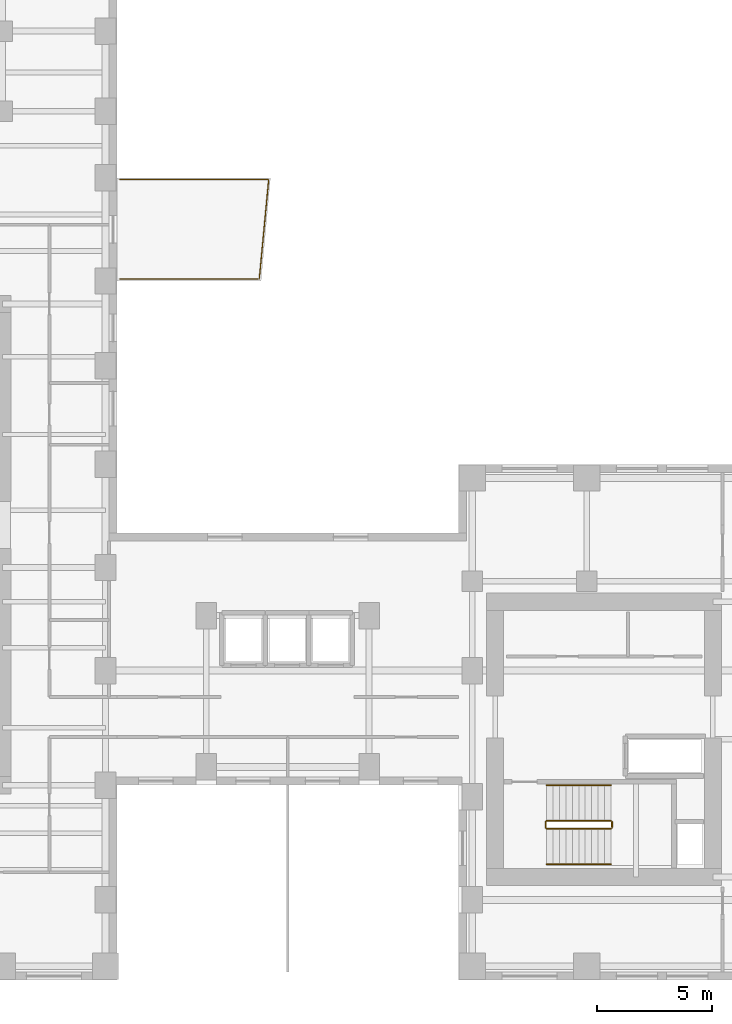
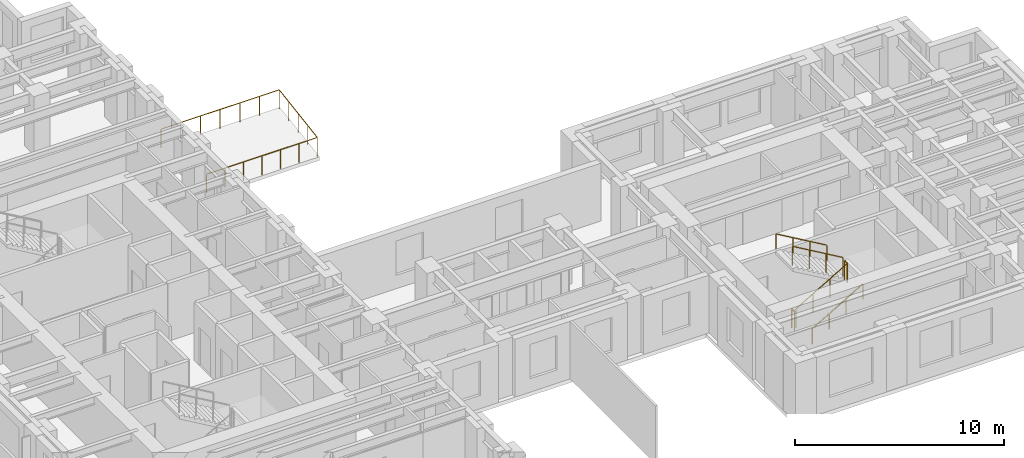
# One storey, part 11 of 11: 7 railings.
"""IFC4 building model written with IfcOpenShell, lengths in metres."""

from ifc_helpers import new_model, si_unit, direction, frame, origin, origin_2d, place, context, subcontext, project, spatial, circle, extrude, source, transform, mapped, material, layer, layer_set, type_object, element, save


model = new_model("IFC4")

# Units and contexts
model_context = context("Model", 3, precision=1e-05, world=origin(), true_north=direction((0.0, 1.0)))
body_context = subcontext(model_context, "Body", "Model", "MODEL_VIEW")
ifc_project = project(units=[si_unit("LENGTHUNIT", "METRE"), si_unit("AREAUNIT", "SQUARE_METRE"), si_unit("VOLUMEUNIT", "CUBIC_METRE"), si_unit("PLANEANGLEUNIT", "RADIAN"), si_unit("MASSUNIT", "GRAM", prefix="KILO")], contexts=[model_context])

# Site, building, storey
site_placement = place(None, origin())
site = spatial("IfcSite", under=ifc_project, at=site_placement, CompositionType="ELEMENT")
building_placement = place(site_placement, origin())
building = spatial("IfcBuilding", under=site, at=building_placement, Name="Kharzan Plaza Tower", CompositionType="ELEMENT")
storey_placement = place(building_placement, frame((0.0, 0.0, 99.0)))
storey = spatial("IfcBuildingStorey", under=building, at=storey_placement, Name="L26", CompositionType="ELEMENT", Elevation=99.0)

# Railings
ifc_material_1 = material(Name="Painted Galvanized Architectural Steel", Category="steel")
ifc_layer_1 = layer(ifc_material_1, 0.074951171875)
ifc_layer_set_1 = layer_set([ifc_layer_1], Name="Painted Galvanized Architectural Steel")
railing_type_1 = type_object("IfcRailingType", Name="RL-GUARD-1120", PredefinedType="BALUSTRADE", material=ifc_layer_set_1)
shared_shape_1 = source(origin(), body_context, "Body", "SweptSolid", [
    extrude(circle(Radius=0.02392578125, at=origin_2d()), frame((0.0, 0.0263671875, 1.09619140625), z_axis=(0.0, 1.0, 0.0), x_axis=(-1.0, 0.0, 0.0)), (0.0, 0.0, 1.0), 0.197021484375),
    extrude(circle(Radius=0.02099609375, at=origin_2d()), origin(), (0.0, 0.0, 1.0), 1.072021484375),
    extrude(circle(Radius=0.02099609375, at=origin_2d()), frame((0.0, 0.25, 0.0)), (0.0, 0.0, 1.0), 1.072021484375),
])
for number, where, name in (
    (1, (41.10009765625, 6.64990234375, 1.800048828125), "L26 ST-3 stair guard 2"),
    (2, (38.199951171875, 6.64990234375, 0.0), "L26 ST-3 stair guard 4"),
):
    element("IfcRailing", number, at=place(storey_placement, frame(where)), inside=storey, type_object=railing_type_1, Name=name, PredefinedType="BALUSTRADE", context=body_context, shape_type="MappedRepresentation", body=[
        mapped(shared_shape_1, transform((0.0, 0.0, 0.0), x_axis=(1.0, 0.0, 0.0), y_axis=(0.0, 1.0, 0.0), z_axis=(0.0, 0.0, 1.0))),
    ])
shared_shape_2 = source(origin(), body_context, "Body", "SweptSolid", [
    extrude(circle(Radius=0.02392578125, at=origin_2d()), frame((0.02294921875, 0.0, 1.109375), z_axis=(0.863360870873, 0.0, 0.504586966384), x_axis=(0.0, 1.0, 0.0)), (0.0, 0.0, 1.0), 3.190185546875),
    extrude(circle(Radius=0.02099609375, at=origin_2d()), origin(), (0.0, 0.0, 1.0), 1.072021484375),
    extrude(circle(Radius=0.02099609375, at=origin_2d()), frame((0.933349609375, 0.0, 0.54541015625)), (0.0, 0.0, 1.0), 1.072021484375),
    extrude(circle(Radius=0.02099609375, at=origin_2d()), frame((1.86669921875, 0.0, 1.091064453125)), (0.0, 0.0, 1.0), 1.072021484375),
    extrude(circle(Radius=0.02099609375, at=origin_2d()), frame((2.800048828125, 0.0, 1.636474609375)), (0.0, 0.0, 1.0), 1.072021484375),
])
railing_1_placement = place(storey_placement, frame((38.25, 6.60009765625, 0.16357421875)))
element("IfcRailing", 3, at=railing_1_placement, inside=storey, type_object=railing_type_1, Name="L26 ST-3 stair guard 1", PredefinedType="BALUSTRADE", context=body_context, shape_type="MappedRepresentation", body=[
    mapped(shared_shape_2, transform((0.0, 0.0, 0.0), x_axis=(1.0, 0.0, 0.0), y_axis=(0.0, 1.0, 0.0), z_axis=(0.0, 0.0, 1.0))),
])
shared_shape_3 = source(origin(), body_context, "Body", "SweptSolid", [
    extrude(circle(Radius=0.02392578125, at=origin_2d()), frame((-0.02294921875, 0.0, 1.109375), z_axis=(-0.863360870873, 0.0, 0.504586966384), x_axis=(0.0, -1.0, 0.0)), (0.0, 0.0, 1.0), 3.190185546875),
    extrude(circle(Radius=0.02099609375, at=origin_2d()), origin(), (0.0, 0.0, 1.0), 1.072021484375),
    extrude(circle(Radius=0.02099609375, at=origin_2d()), frame((-0.933349609375, 0.0, 0.54541015625)), (0.0, 0.0, 1.0), 1.072021484375),
    extrude(circle(Radius=0.02099609375, at=origin_2d()), frame((-1.86669921875, 0.0, 1.091064453125)), (0.0, 0.0, 1.0), 1.072021484375),
    extrude(circle(Radius=0.02099609375, at=origin_2d()), frame((-2.800048828125, 0.0, 1.636474609375)), (0.0, 0.0, 1.0), 1.072021484375),
])
railing_2_placement = place(storey_placement, frame((41.050048828125, 6.949951171875, 1.963623046875)))
element("IfcRailing", 4, at=railing_2_placement, inside=storey, type_object=railing_type_1, Name="L26 ST-3 stair guard 3", PredefinedType="BALUSTRADE", context=body_context, shape_type="MappedRepresentation", body=[
    mapped(shared_shape_3, transform((0.0, 0.0, 0.0), x_axis=(1.0, 0.0, 0.0), y_axis=(0.0, 1.0, 0.0), z_axis=(0.0, 0.0, 1.0))),
])
ifc_material_2 = material(Name="Brushed Stainless Steel", Category="steel")
ifc_layer_2 = layer(ifc_material_2, 0.050048828125)
ifc_layer_set_2 = layer_set([ifc_layer_2], Name="Brushed Stainless Steel")
railing_type_2 = type_object("IfcRailingType", Name="RL-STAIR-HR920", PredefinedType="HANDRAIL", material=ifc_layer_set_2)
shared_shape_4 = source(origin(), body_context, "Body", "SweptSolid", [
    extrude(circle(Radius=0.02392578125, at=origin_2d()), frame((0.02294921875, 0.0, 0.88916015625), z_axis=(0.863360870873, 0.0, 0.504586966384), x_axis=(0.0, 1.0, 0.0)), (0.0, 0.0, 1.0), 3.190185546875),
    extrude(circle(Radius=0.02099609375, at=origin_2d()), origin(), (0.0, 0.0, 1.0), 0.851806640625),
    extrude(circle(Radius=0.02099609375, at=origin_2d()), frame((0.933349609375, 0.0, 0.54541015625)), (0.0, 0.0, 1.0), 0.851806640625),
    extrude(circle(Radius=0.02099609375, at=origin_2d()), frame((1.86669921875, 0.0, 1.091064453125)), (0.0, 0.0, 1.0), 0.851806640625),
    extrude(circle(Radius=0.02099609375, at=origin_2d()), frame((2.800048828125, 0.0, 1.636474609375)), (0.0, 0.0, 1.0), 0.851806640625),
])
railing_3_placement = place(storey_placement, frame((38.25, 5.050048828125, 0.16357421875)))
element("IfcRailing", 5, at=railing_3_placement, inside=storey, type_object=railing_type_2, Name="L26 ST-3 stair handrail 1", PredefinedType="HANDRAIL", context=body_context, shape_type="MappedRepresentation", body=[
    mapped(shared_shape_4, transform((0.0, 0.0, 0.0), x_axis=(1.0, 0.0, 0.0), y_axis=(0.0, 1.0, 0.0), z_axis=(0.0, 0.0, 1.0))),
])
shared_shape_5 = source(origin(), body_context, "Body", "SweptSolid", [
    extrude(circle(Radius=0.02392578125, at=origin_2d()), frame((-0.02294921875, 0.0, 0.88916015625), z_axis=(-0.863360870873, 0.0, 0.504586966384), x_axis=(0.0, -1.0, 0.0)), (0.0, 0.0, 1.0), 3.190185546875),
    extrude(circle(Radius=0.02099609375, at=origin_2d()), origin(), (0.0, 0.0, 1.0), 0.851806640625),
    extrude(circle(Radius=0.02099609375, at=origin_2d()), frame((-0.933349609375, 0.0, 0.54541015625)), (0.0, 0.0, 1.0), 0.851806640625),
    extrude(circle(Radius=0.02099609375, at=origin_2d()), frame((-1.86669921875, 0.0, 1.091064453125)), (0.0, 0.0, 1.0), 0.851806640625),
    extrude(circle(Radius=0.02099609375, at=origin_2d()), frame((-2.800048828125, 0.0, 1.636474609375)), (0.0, 0.0, 1.0), 0.851806640625),
])
railing_4_placement = place(storey_placement, frame((41.050048828125, 8.5, 1.963623046875)))
element("IfcRailing", 6, at=railing_4_placement, inside=storey, type_object=railing_type_2, Name="L26 ST-3 stair handrail 2", PredefinedType="HANDRAIL", context=body_context, shape_type="MappedRepresentation", body=[
    mapped(shared_shape_5, transform((0.0, 0.0, 0.0), x_axis=(1.0, 0.0, 0.0), y_axis=(0.0, 1.0, 0.0), z_axis=(0.0, 0.0, 1.0))),
])
shared_shape_6 = source(origin(), body_context, "Body", "SweptSolid", [
    extrude(circle(Radius=0.02392578125, at=origin_2d()), frame((0.0263671875, 0.0, 1.09619140625), z_axis=(1.0, 0.0, 0.0), x_axis=(0.0, 1.0, 0.0)), (0.0, 0.0, 1.0), 6.056884765625),
    extrude(circle(Radius=0.02392578125, at=origin_2d()), frame((6.1123046875, 0.0263671875, 1.09619140625), z_axis=(0.094090176669, 0.995563678855, 0.0), x_axis=(-0.995563678855, 0.094090176669, 0.0)), (0.0, 0.0, 1.0), 4.306396484375),
    extrude(circle(Radius=0.02392578125, at=origin_2d()), frame((6.49365234375, 4.33984375, 1.09619140625), z_axis=(-1.0, 0.0, 0.0), x_axis=(0.0, -1.0, 0.0)), (0.0, 0.0, 1.0), 6.467041015625),
    extrude(circle(Radius=0.02099609375, at=origin_2d()), origin(), (0.0, 0.0, 1.0), 1.072021484375),
    extrude(circle(Radius=0.02099609375, at=origin_2d()), frame((1.018310546875, 0.0, 0.0)), (0.0, 0.0, 1.0), 1.072021484375),
    extrude(circle(Radius=0.02099609375, at=origin_2d()), frame((2.03662109375, 0.0, 0.0)), (0.0, 0.0, 1.0), 1.072021484375),
    extrude(circle(Radius=0.02099609375, at=origin_2d()), frame((3.054931640625, 0.0, 0.0)), (0.0, 0.0, 1.0), 1.072021484375),
    extrude(circle(Radius=0.02099609375, at=origin_2d()), frame((4.0732421875, 0.0, 0.0)), (0.0, 0.0, 1.0), 1.072021484375),
    extrude(circle(Radius=0.02099609375, at=origin_2d()), frame((5.091552734375, 0.0, 0.0)), (0.0, 0.0, 1.0), 1.072021484375),
    extrude(circle(Radius=0.02099609375, at=origin_2d()), frame((6.10986328125, 0.0, 0.0)), (0.0, 0.0, 1.0), 1.072021484375),
    extrude(circle(Radius=0.02099609375, at=origin_2d()), frame((6.21240234375, 1.0849609375, 0.0)), (0.0, 0.0, 1.0), 1.072021484375),
    extrude(circle(Radius=0.02099609375, at=origin_2d()), frame((6.31494140625, 2.169921875, 0.0)), (0.0, 0.0, 1.0), 1.072021484375),
    extrude(circle(Radius=0.02099609375, at=origin_2d()), frame((6.41748046875, 3.2548828125, 0.0)), (0.0, 0.0, 1.0), 1.072021484375),
    extrude(circle(Radius=0.02099609375, at=origin_2d()), frame((6.52001953125, 4.33984375, 0.0)), (0.0, 0.0, 1.0), 1.072021484375),
    extrude(circle(Radius=0.02099609375, at=origin_2d()), frame((5.433349609375, 4.33984375, 0.0)), (0.0, 0.0, 1.0), 1.072021484375),
    extrude(circle(Radius=0.02099609375, at=origin_2d()), frame((4.3466796875, 4.33984375, 0.0)), (0.0, 0.0, 1.0), 1.072021484375),
    extrude(circle(Radius=0.02099609375, at=origin_2d()), frame((3.260009765625, 4.33984375, 0.0)), (0.0, 0.0, 1.0), 1.072021484375),
    extrude(circle(Radius=0.02099609375, at=origin_2d()), frame((2.17333984375, 4.33984375, 0.0)), (0.0, 0.0, 1.0), 1.072021484375),
    extrude(circle(Radius=0.02099609375, at=origin_2d()), frame((1.086669921875, 4.33984375, 0.0)), (0.0, 0.0, 1.0), 1.072021484375),
    extrude(circle(Radius=0.02099609375, at=origin_2d()), frame((0.0, 4.33984375, 0.0)), (0.0, 0.0, 1.0), 1.072021484375),
])
railing_5_placement = place(storey_placement, frame((19.60009765625, 30.580078125, 0.0)))
element("IfcRailing", 7, at=railing_5_placement, inside=storey, type_object=railing_type_1, Name="L26 Cantilevered Sky-Terrace Tray Balustrade", PredefinedType="BALUSTRADE", context=body_context, shape_type="MappedRepresentation", body=[
    mapped(shared_shape_6, transform((0.0, 0.0, 0.0), x_axis=(1.0, 0.0, 0.0), y_axis=(0.0, 1.0, 0.0), z_axis=(0.0, 0.0, 1.0))),
])

save(model, "model.ifc")
